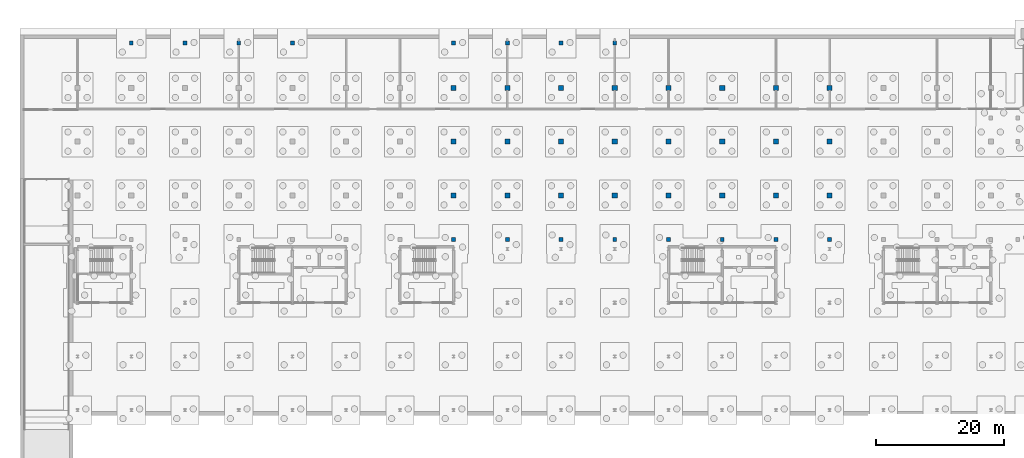
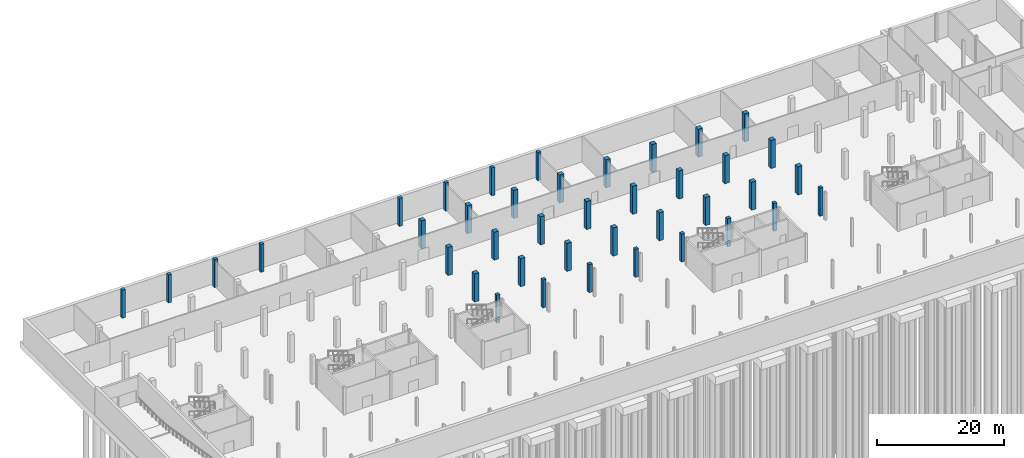
# One storey, part 10 of 29: 40 columns.
"""IFC4 building model written with IfcOpenShell, lengths in metres."""

from ifc_helpers import new_model, si_unit, direction, frame, origin, origin_2d, place, context, subcontext, project, spatial, rectangle, extrude, material, material_profile, profile_set, type_object, element, save


model = new_model("IFC4")

# Units and contexts
model_context = context("Model", 3, precision=1e-05, world=origin(), true_north=direction((0.0, 1.0)))
body_context = subcontext(model_context, "Body", "Model", "MODEL_VIEW")
ifc_project = project(units=[si_unit("LENGTHUNIT", "METRE"), si_unit("AREAUNIT", "SQUARE_METRE"), si_unit("VOLUMEUNIT", "CUBIC_METRE"), si_unit("PLANEANGLEUNIT", "RADIAN"), si_unit("MASSUNIT", "GRAM", prefix="KILO")], contexts=[model_context])

# Site, building, storey
site_placement = place(None, origin())
site = spatial("IfcSite", under=ifc_project, at=site_placement, CompositionType="ELEMENT")
building_placement = place(site_placement, origin())
building = spatial("IfcBuilding", under=site, at=building_placement, Name="Cresset Court Congress Hotel", CompositionType="ELEMENT")
storey_placement = place(building_placement, frame((0.0, 0.0, -5.39990234375)))
storey = spatial("IfcBuildingStorey", under=building, at=storey_placement, Name="B1", CompositionType="ELEMENT", Elevation=-5.39990234375)

# Columns
ifc_material_1 = material(Name="Concrete C40", Category="concrete")
ifc_material_profile_1 = material_profile(ifc_material_1, rectangle(XDim=0.60009765625, YDim=0.60009765625, at=origin_2d()), Name="RC600x600")
ifc_profile_set_1 = profile_set([ifc_material_profile_1], Name="Concrete C40")
column_type_1 = type_object("IfcColumnType", Name="RC column 600x600", PredefinedType="COLUMN", material=ifc_profile_set_1)
for number, where, z_axis, x_axis, name in (
    (1, (67.199951171875, 26.699951171875, 0.0), (0.0, 0.0, 1.0), (1.0, 0.0, 0.0), "Court column D08"),
    (2, (75.60009765625, 26.699951171875, 0.0), (0.0, 0.0, 1.0), (1.0, 0.0, 0.0), "Court column D09"),
    (3, (84.0, 26.699951171875, 0.0), (0.0, 0.0, 1.0), (1.0, 0.0, 0.0), "Court column D10"),
    (4, (92.39990234375, 26.699951171875, 0.0), (0.0, 0.0, 1.0), (1.0, 0.0, 0.0), "Court column D11"),
    (5, (100.800048828125, 26.699951171875, 0.0), (0.0, 0.0, 1.0), (1.0, 0.0, 0.0), "Court column D12"),
    (6, (109.199951171875, 26.699951171875, 0.0), (0.0, 0.0, 1.0), (1.0, 0.0, 0.0), "Court column D13"),
    (7, (117.60009765625, 26.699951171875, 0.0), (0.0, 0.0, 1.0), (1.0, 0.0, 0.0), "Court column D14"),
    (8, (126.0, 26.699951171875, 0.0), (0.0, 0.0, 1.0), (1.0, 0.0, 0.0), "Court column D15"),
    (9, (67.199951171875, 57.39990234375, 0.0), (0.0, 0.0, 1.0), (1.0, 0.0, 0.0), "Court column D24"),
    (10, (75.60009765625, 57.39990234375, 0.0), (0.0, 0.0, 1.0), (1.0, 0.0, 0.0), "Court column D25"),
    (11, (84.0, 57.39990234375, 0.0), (0.0, 0.0, 1.0), (1.0, 0.0, 0.0), "Court column D26"),
    (12, (92.39990234375, 57.39990234375, 0.0), (0.0, 0.0, 1.0), (1.0, 0.0, 0.0), "Court column D27"),
    (13, (16.800048828125, 57.39990234375, 0.0), (0.0, 0.0, 1.0), (1.0, 0.0, 0.0), "Court column D28"),
    (14, (25.199951171875, 57.39990234375, 0.0), (0.0, 0.0, 1.0), (1.0, 0.0, 0.0), "Court column D29"),
    (15, (33.60009765625, 57.39990234375, 0.0), (0.0, 0.0, 1.0), (1.0, 0.0, 0.0), "Court column D30"),
    (16, (42.0, 57.39990234375, 0.0), (0.0, 0.0, 1.0), (1.0, 0.0, 0.0), "Court column D31"),
):
    element("IfcColumn", number, at=place(storey_placement, frame(where, z_axis=z_axis, x_axis=x_axis)), inside=storey, type_object=column_type_1, Name=name, PredefinedType="COLUMN", context=body_context, shape_type="SweptSolid", body=[
        extrude(rectangle(XDim=0.60009765625, YDim=0.60009765625, at=origin_2d()), origin(), (0.0, 0.0, 1.0), 5.39990234375),
    ])
ifc_material_2 = material(Name="Concrete C50", Category="concrete")
ifc_material_profile_2 = material_profile(ifc_material_2, rectangle(XDim=0.800048828125, YDim=0.800048828125, at=origin_2d()), Name="RC800x800")
ifc_profile_set_2 = profile_set([ifc_material_profile_2], Name="Concrete C50")
column_type_2 = type_object("IfcColumnType", Name="RC column 800x800", PredefinedType="COLUMN", material=ifc_profile_set_2)
for number, where, z_axis, x_axis, name in (
    (17, (67.199951171875, 33.60009765625, 0.0), (0.0, 0.0, 1.0), (1.0, 0.0, 0.0), "Court column 08E"),
    (18, (67.199951171875, 42.0, 0.0), (0.0, 0.0, 1.0), (1.0, 0.0, 0.0), "Court column 08F"),
    (19, (67.199951171875, 50.39990234375, 0.0), (0.0, 0.0, 1.0), (1.0, 0.0, 0.0), "Court column 08G"),
    (20, (75.60009765625, 33.60009765625, 0.0), (0.0, 0.0, 1.0), (1.0, 0.0, 0.0), "Court column 09E"),
    (21, (75.60009765625, 42.0, 0.0), (0.0, 0.0, 1.0), (1.0, 0.0, 0.0), "Court column 09F"),
    (22, (75.60009765625, 50.39990234375, 0.0), (0.0, 0.0, 1.0), (1.0, 0.0, 0.0), "Court column 09G"),
    (23, (84.0, 33.60009765625, 0.0), (0.0, 0.0, 1.0), (1.0, 0.0, 0.0), "Court column 10E"),
    (24, (84.0, 42.0, 0.0), (0.0, 0.0, 1.0), (1.0, 0.0, 0.0), "Court column 10F"),
    (25, (84.0, 50.39990234375, 0.0), (0.0, 0.0, 1.0), (1.0, 0.0, 0.0), "Court column 10G"),
    (26, (92.39990234375, 33.60009765625, 0.0), (0.0, 0.0, 1.0), (1.0, 0.0, 0.0), "Court column 11E"),
    (27, (92.39990234375, 42.0, 0.0), (0.0, 0.0, 1.0), (1.0, 0.0, 0.0), "Court column 11F"),
    (28, (92.39990234375, 50.39990234375, 0.0), (0.0, 0.0, 1.0), (1.0, 0.0, 0.0), "Court column 11G"),
    (29, (100.800048828125, 33.60009765625, 0.0), (0.0, 0.0, 1.0), (1.0, 0.0, 0.0), "Court column 12E"),
    (30, (100.800048828125, 42.0, 0.0), (0.0, 0.0, 1.0), (1.0, 0.0, 0.0), "Court column 12F"),
    (31, (100.800048828125, 50.39990234375, 0.0), (0.0, 0.0, 1.0), (1.0, 0.0, 0.0), "Court column 12G"),
    (32, (109.199951171875, 33.60009765625, 0.0), (0.0, 0.0, 1.0), (1.0, 0.0, 0.0), "Court column 13E"),
    (33, (109.199951171875, 42.0, 0.0), (0.0, 0.0, 1.0), (1.0, 0.0, 0.0), "Court column 13F"),
    (34, (109.199951171875, 50.39990234375, 0.0), (0.0, 0.0, 1.0), (1.0, 0.0, 0.0), "Court column 13G"),
    (35, (117.60009765625, 33.60009765625, 0.0), (0.0, 0.0, 1.0), (1.0, 0.0, 0.0), "Court column 14E"),
    (36, (117.60009765625, 42.0, 0.0), (0.0, 0.0, 1.0), (1.0, 0.0, 0.0), "Court column 14F"),
    (37, (117.60009765625, 50.39990234375, 0.0), (0.0, 0.0, 1.0), (1.0, 0.0, 0.0), "Court column 14G"),
    (38, (126.0, 33.60009765625, 0.0), (0.0, 0.0, 1.0), (1.0, 0.0, 0.0), "Court column 15E"),
    (39, (126.0, 42.0, 0.0), (0.0, 0.0, 1.0), (1.0, 0.0, 0.0), "Court column 15F"),
    (40, (126.0, 50.39990234375, 0.0), (0.0, 0.0, 1.0), (1.0, 0.0, 0.0), "Court column 15G"),
):
    element("IfcColumn", number, at=place(storey_placement, frame(where, z_axis=z_axis, x_axis=x_axis)), inside=storey, type_object=column_type_2, Name=name, PredefinedType="COLUMN", context=body_context, shape_type="SweptSolid", body=[
        extrude(rectangle(XDim=0.800048828125, YDim=0.800048828125, at=origin_2d()), origin(), (0.0, 0.0, 1.0), 5.39990234375),
    ])

save(model, "model.ifc")
